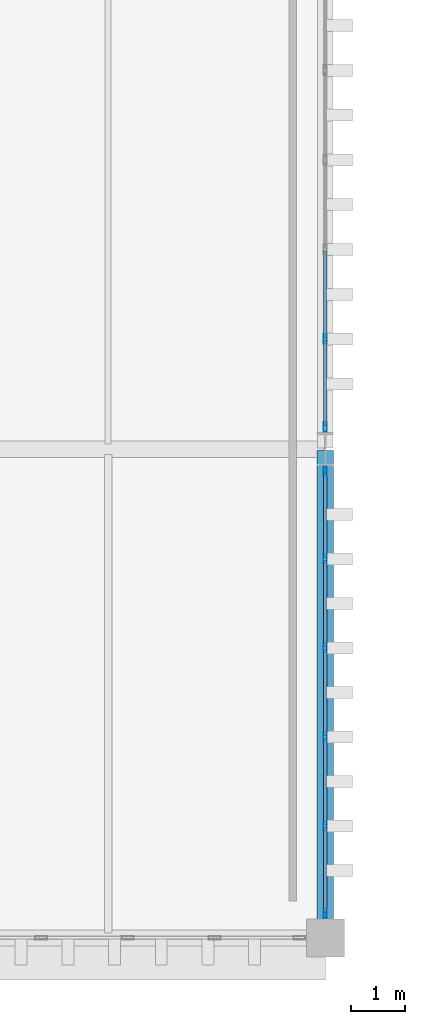
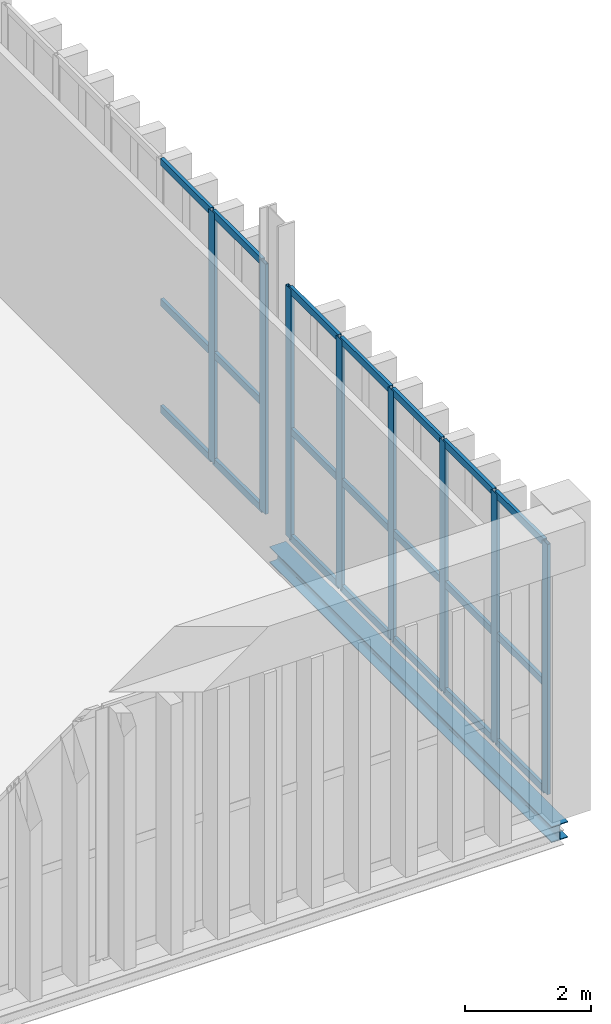
# One storey, part 129 of 237: 29 members, 1 beam, 2 elements without a shape of their own.
"""IFC4 building model written with IfcOpenShell, lengths in metres."""

from ifc_helpers import new_model, si_unit, direction, frame, origin, origin_2d, place, context, subcontext, project, spatial, hollow_rectangle, i_section, extrude, material, layer, layer_set, material_profile, profile_set, type_object, element, aggregate, save


model = new_model("IFC4")

# Units and contexts
model_context = context("Model", 3, precision=1e-05, world=origin(), true_north=direction((0.0, 1.0)))
body_context = subcontext(model_context, "Body", "Model", "MODEL_VIEW")
ifc_project = project(units=[si_unit("LENGTHUNIT", "METRE"), si_unit("AREAUNIT", "SQUARE_METRE"), si_unit("VOLUMEUNIT", "CUBIC_METRE"), si_unit("PLANEANGLEUNIT", "RADIAN"), si_unit("MASSUNIT", "GRAM", prefix="KILO")], contexts=[model_context])

# Site, building, storey
site_placement = place(None, origin())
site = spatial("IfcSite", under=ifc_project, at=site_placement, CompositionType="ELEMENT")
building_placement = place(site_placement, origin())
building = spatial("IfcBuilding", under=site, at=building_placement, Name="Barlavento Convention Centre", CompositionType="ELEMENT")
storey_placement = place(building_placement, frame((0.0, 0.0, 12.0)))
storey = spatial("IfcBuildingStorey", under=building, at=storey_placement, Name="L02", CompositionType="ELEMENT", Elevation=12.0)

# Curtain wall, members
ifc_material_1 = material(Name="Powder-coated aluminium and Low-E glass", Category="aluminium")
ifc_layer = layer(ifc_material_1, 0.195068359375)
ifc_layer_set = layer_set([ifc_layer], Name="ARC-CW-BALL-L02")
curtain_wall_type = type_object("IfcCurtainWallType", Name="ARC-CW-BALL-L02", PredefinedType="NOTDEFINED", material=ifc_layer_set)
curtain_wall_1_placement = place(storey_placement, origin())
curtain_wall_1 = element("IfcCurtainWall", 1, at=curtain_wall_1_placement, inside=storey, type_object=curtain_wall_type, Name="L02 unitised curtain wall CW07", PredefinedType="NOTDEFINED")
ifc_material_2 = material(Name="Powder-coated aluminium", Category="aluminium")
ifc_material_profile_1 = material_profile(ifc_material_2, hollow_rectangle(XDim=0.06005859375, YDim=0.179931640625, WallThickness=0.0048828125, at=origin_2d()), Name="AL-MULL 60x180x5")
ifc_profile_set_1 = profile_set([ifc_material_profile_1], Name="Powder-coated aluminium")
member_type_1 = type_object("IfcMemberType", Name="ARC-CWM-60X180", PredefinedType="MULLION", material=ifc_profile_set_1)
member_1_placement = place(storey_placement, frame((192.0, 0.449951171875, 0.0), z_axis=(0.0, 0.0, 1.0), x_axis=(-1.0, 0.0, 0.0)))
member_1 = element("IfcMember", 2, at=member_1_placement, type_object=member_type_1, Name="CW07 mullion 1", PredefinedType="MULLION", context=body_context, shape_type="SweptSolid", body=[
    extrude(hollow_rectangle(XDim=0.06005859375, YDim=0.179931640625, WallThickness=0.0048828125, at=origin_2d()), origin(), (0.0, 0.0, 1.0), 4.85009765625),
])
member_2_placement = place(storey_placement, frame((192.0, 2.06005859375, 0.0), z_axis=(0.0, 0.0, 1.0), x_axis=(-1.0, 0.0, 0.0)))
member_2 = element("IfcMember", 3, at=member_2_placement, type_object=member_type_1, Name="CW07 mullion 2", PredefinedType="MULLION", context=body_context, shape_type="SweptSolid", body=[
    extrude(hollow_rectangle(XDim=0.06005859375, YDim=0.179931640625, WallThickness=0.0048828125, at=origin_2d()), origin(), (0.0, 0.0, 1.0), 4.85009765625),
])
member_3_placement = place(storey_placement, frame((192.0, 3.699951171875, 0.0), z_axis=(0.0, 0.0, 1.0), x_axis=(-1.0, 0.0, 0.0)))
member_3 = element("IfcMember", 4, at=member_3_placement, type_object=member_type_1, Name="CW07 mullion 3", PredefinedType="MULLION", context=body_context, shape_type="SweptSolid", body=[
    extrude(hollow_rectangle(XDim=0.06005859375, YDim=0.179931640625, WallThickness=0.0048828125, at=origin_2d()), origin(), (0.0, 0.0, 1.0), 4.85009765625),
])
member_4_placement = place(storey_placement, frame((192.0, 5.340087890625, 0.0), z_axis=(0.0, 0.0, 1.0), x_axis=(-1.0, 0.0, 0.0)))
member_4 = element("IfcMember", 5, at=member_4_placement, type_object=member_type_1, Name="CW07 mullion 4", PredefinedType="MULLION", context=body_context, shape_type="SweptSolid", body=[
    extrude(hollow_rectangle(XDim=0.06005859375, YDim=0.179931640625, WallThickness=0.0048828125, at=origin_2d()), origin(), (0.0, 0.0, 1.0), 4.85009765625),
])
member_5_placement = place(storey_placement, frame((192.0, 6.97998046875, 0.0), z_axis=(0.0, 0.0, 1.0), x_axis=(-1.0, 0.0, 0.0)))
member_5 = element("IfcMember", 6, at=member_5_placement, type_object=member_type_1, Name="CW07 mullion 5", PredefinedType="MULLION", context=body_context, shape_type="SweptSolid", body=[
    extrude(hollow_rectangle(XDim=0.06005859375, YDim=0.179931640625, WallThickness=0.0048828125, at=origin_2d()), origin(), (0.0, 0.0, 1.0), 4.85009765625),
])
member_6_placement = place(storey_placement, frame((192.0, 8.590087890625, 0.0), z_axis=(0.0, 0.0, 1.0), x_axis=(-1.0, 0.0, 0.0)))
member_6 = element("IfcMember", 7, at=member_6_placement, type_object=member_type_1, Name="CW07 mullion 6", PredefinedType="MULLION", context=body_context, shape_type="SweptSolid", body=[
    extrude(hollow_rectangle(XDim=0.06005859375, YDim=0.179931640625, WallThickness=0.0048828125, at=origin_2d()), origin(), (0.0, 0.0, 1.0), 4.85009765625),
])

curtain_wall_2_placement = place(storey_placement, origin())
curtain_wall_2 = element("IfcCurtainWall", 8, at=curtain_wall_2_placement, inside=storey, type_object=curtain_wall_type, Name="L02 unitised curtain wall CW07", PredefinedType="NOTDEFINED")
member_7_placement = place(storey_placement, frame((192.0, 9.409912109375, 0.0), z_axis=(0.0, 0.0, 1.0), x_axis=(-1.0, 0.0, 0.0)))
member_7 = element("IfcMember", 9, at=member_7_placement, type_object=member_type_1, Name="CW07 mullion 1", PredefinedType="MULLION", context=body_context, shape_type="SweptSolid", body=[
    extrude(hollow_rectangle(XDim=0.06005859375, YDim=0.179931640625, WallThickness=0.0048828125, at=origin_2d()), origin(), (0.0, 0.0, 1.0), 4.85009765625),
])
member_8_placement = place(storey_placement, frame((192.0, 11.030029296875, 0.0), z_axis=(0.0, 0.0, 1.0), x_axis=(-1.0, 0.0, 0.0)))
member_8 = element("IfcMember", 10, at=member_8_placement, type_object=member_type_1, Name="CW07 mullion 2", PredefinedType="MULLION", context=body_context, shape_type="SweptSolid", body=[
    extrude(hollow_rectangle(XDim=0.06005859375, YDim=0.179931640625, WallThickness=0.0048828125, at=origin_2d()), origin(), (0.0, 0.0, 1.0), 4.85009765625),
])

# Member
ifc_material_profile_2 = material_profile(ifc_material_2, hollow_rectangle(XDim=0.06005859375, YDim=0.139892578125, WallThickness=0.00390625, at=origin_2d()), Name="AL-TRAN 60x140x4")
ifc_profile_set_2 = profile_set([ifc_material_profile_2], Name="Powder-coated aluminium")
member_type_2 = type_object("IfcMemberType", Name="ARC-CWT-60X140", PredefinedType="USERDEFINED", material=ifc_profile_set_2)
member_9_placement = place(storey_placement, frame((192.0, 0.47998046875, 0.030029296875), z_axis=(0.0, 1.0, 0.0), x_axis=(-1.0, 0.0, 0.0)))
member_9 = element("IfcMember", 11, at=member_9_placement, type_object=member_type_2, Name="CW07 transom 1.1", ObjectType="TRANSOM", PredefinedType="USERDEFINED", context=body_context, shape_type="SweptSolid", body=[
    extrude(hollow_rectangle(XDim=0.06005859375, YDim=0.139892578125, WallThickness=0.00390625, at=origin_2d()), origin(), (0.0, 0.0, 1.0), 1.550048828125),
])

member_10_placement = place(storey_placement, frame((192.0, 0.47998046875, 2.10009765625), z_axis=(0.0, 1.0, 0.0), x_axis=(-1.0, 0.0, 0.0)))
member_10 = element("IfcMember", 12, at=member_10_placement, type_object=member_type_2, Name="CW07 transom 1.2", ObjectType="TRANSOM", PredefinedType="USERDEFINED", context=body_context, shape_type="SweptSolid", body=[
    extrude(hollow_rectangle(XDim=0.06005859375, YDim=0.139892578125, WallThickness=0.00390625, at=origin_2d()), origin(), (0.0, 0.0, 1.0), 1.550048828125),
])

member_11_placement = place(storey_placement, frame((192.0, 0.47998046875, 4.820068359375), z_axis=(0.0, 1.0, 0.0), x_axis=(-1.0, 0.0, 0.0)))
member_11 = element("IfcMember", 13, at=member_11_placement, type_object=member_type_2, Name="CW07 transom 1.3", ObjectType="TRANSOM", PredefinedType="USERDEFINED", context=body_context, shape_type="SweptSolid", body=[
    extrude(hollow_rectangle(XDim=0.06005859375, YDim=0.139892578125, WallThickness=0.00390625, at=origin_2d()), origin(), (0.0, 0.0, 1.0), 1.550048828125),
])

member_12_placement = place(storey_placement, frame((192.0, 2.090087890625, 0.030029296875), z_axis=(0.0, 1.0, 0.0), x_axis=(-1.0, 0.0, 0.0)))
member_12 = element("IfcMember", 14, at=member_12_placement, type_object=member_type_2, Name="CW07 transom 2.1", ObjectType="TRANSOM", PredefinedType="USERDEFINED", context=body_context, shape_type="SweptSolid", body=[
    extrude(hollow_rectangle(XDim=0.06005859375, YDim=0.139892578125, WallThickness=0.00390625, at=origin_2d()), origin(), (0.0, 0.0, 1.0), 1.579833984375),
])

member_13_placement = place(storey_placement, frame((192.0, 2.090087890625, 2.10009765625), z_axis=(0.0, 1.0, 0.0), x_axis=(-1.0, 0.0, 0.0)))
member_13 = element("IfcMember", 15, at=member_13_placement, type_object=member_type_2, Name="CW07 transom 2.2", ObjectType="TRANSOM", PredefinedType="USERDEFINED", context=body_context, shape_type="SweptSolid", body=[
    extrude(hollow_rectangle(XDim=0.06005859375, YDim=0.139892578125, WallThickness=0.00390625, at=origin_2d()), origin(), (0.0, 0.0, 1.0), 1.579833984375),
])

member_14_placement = place(storey_placement, frame((192.0, 2.090087890625, 4.820068359375), z_axis=(0.0, 1.0, 0.0), x_axis=(-1.0, 0.0, 0.0)))
member_14 = element("IfcMember", 16, at=member_14_placement, type_object=member_type_2, Name="CW07 transom 2.3", ObjectType="TRANSOM", PredefinedType="USERDEFINED", context=body_context, shape_type="SweptSolid", body=[
    extrude(hollow_rectangle(XDim=0.06005859375, YDim=0.139892578125, WallThickness=0.00390625, at=origin_2d()), origin(), (0.0, 0.0, 1.0), 1.579833984375),
])

member_15_placement = place(storey_placement, frame((192.0, 3.72998046875, 0.030029296875), z_axis=(0.0, 1.0, 0.0), x_axis=(-1.0, 0.0, 0.0)))
member_15 = element("IfcMember", 17, at=member_15_placement, type_object=member_type_2, Name="CW07 transom 3.1", ObjectType="TRANSOM", PredefinedType="USERDEFINED", context=body_context, shape_type="SweptSolid", body=[
    extrude(hollow_rectangle(XDim=0.06005859375, YDim=0.139892578125, WallThickness=0.00390625, at=origin_2d()), origin(), (0.0, 0.0, 1.0), 1.580078125),
])

member_16_placement = place(storey_placement, frame((192.0, 3.72998046875, 2.10009765625), z_axis=(0.0, 1.0, 0.0), x_axis=(-1.0, 0.0, 0.0)))
member_16 = element("IfcMember", 18, at=member_16_placement, type_object=member_type_2, Name="CW07 transom 3.2", ObjectType="TRANSOM", PredefinedType="USERDEFINED", context=body_context, shape_type="SweptSolid", body=[
    extrude(hollow_rectangle(XDim=0.06005859375, YDim=0.139892578125, WallThickness=0.00390625, at=origin_2d()), origin(), (0.0, 0.0, 1.0), 1.580078125),
])

member_17_placement = place(storey_placement, frame((192.0, 3.72998046875, 4.820068359375), z_axis=(0.0, 1.0, 0.0), x_axis=(-1.0, 0.0, 0.0)))
member_17 = element("IfcMember", 19, at=member_17_placement, type_object=member_type_2, Name="CW07 transom 3.3", ObjectType="TRANSOM", PredefinedType="USERDEFINED", context=body_context, shape_type="SweptSolid", body=[
    extrude(hollow_rectangle(XDim=0.06005859375, YDim=0.139892578125, WallThickness=0.00390625, at=origin_2d()), origin(), (0.0, 0.0, 1.0), 1.580078125),
])

member_18_placement = place(storey_placement, frame((192.0, 5.3701171875, 0.030029296875), z_axis=(0.0, 1.0, 0.0), x_axis=(-1.0, 0.0, 0.0)))
member_18 = element("IfcMember", 20, at=member_18_placement, type_object=member_type_2, Name="CW07 transom 4.1", ObjectType="TRANSOM", PredefinedType="USERDEFINED", context=body_context, shape_type="SweptSolid", body=[
    extrude(hollow_rectangle(XDim=0.06005859375, YDim=0.139892578125, WallThickness=0.00390625, at=origin_2d()), origin(), (0.0, 0.0, 1.0), 1.579833984375),
])

member_19_placement = place(storey_placement, frame((192.0, 5.3701171875, 2.10009765625), z_axis=(0.0, 1.0, 0.0), x_axis=(-1.0, 0.0, 0.0)))
member_19 = element("IfcMember", 21, at=member_19_placement, type_object=member_type_2, Name="CW07 transom 4.2", ObjectType="TRANSOM", PredefinedType="USERDEFINED", context=body_context, shape_type="SweptSolid", body=[
    extrude(hollow_rectangle(XDim=0.06005859375, YDim=0.139892578125, WallThickness=0.00390625, at=origin_2d()), origin(), (0.0, 0.0, 1.0), 1.579833984375),
])

member_20_placement = place(storey_placement, frame((192.0, 5.3701171875, 4.820068359375), z_axis=(0.0, 1.0, 0.0), x_axis=(-1.0, 0.0, 0.0)))
member_20 = element("IfcMember", 22, at=member_20_placement, type_object=member_type_2, Name="CW07 transom 4.3", ObjectType="TRANSOM", PredefinedType="USERDEFINED", context=body_context, shape_type="SweptSolid", body=[
    extrude(hollow_rectangle(XDim=0.06005859375, YDim=0.139892578125, WallThickness=0.00390625, at=origin_2d()), origin(), (0.0, 0.0, 1.0), 1.579833984375),
])

member_21_placement = place(storey_placement, frame((192.0, 7.010009765625, 0.030029296875), z_axis=(0.0, 1.0, 0.0), x_axis=(-1.0, 0.0, 0.0)))
member_21 = element("IfcMember", 23, at=member_21_placement, type_object=member_type_2, Name="CW07 transom 5.1", ObjectType="TRANSOM", PredefinedType="USERDEFINED", context=body_context, shape_type="SweptSolid", body=[
    extrude(hollow_rectangle(XDim=0.06005859375, YDim=0.139892578125, WallThickness=0.00390625, at=origin_2d()), origin(), (0.0, 0.0, 1.0), 1.550048828125),
])

member_22_placement = place(storey_placement, frame((192.0, 7.010009765625, 2.10009765625), z_axis=(0.0, 1.0, 0.0), x_axis=(-1.0, 0.0, 0.0)))
member_22 = element("IfcMember", 24, at=member_22_placement, type_object=member_type_2, Name="CW07 transom 5.2", ObjectType="TRANSOM", PredefinedType="USERDEFINED", context=body_context, shape_type="SweptSolid", body=[
    extrude(hollow_rectangle(XDim=0.06005859375, YDim=0.139892578125, WallThickness=0.00390625, at=origin_2d()), origin(), (0.0, 0.0, 1.0), 1.550048828125),
])

member_23_placement = place(storey_placement, frame((192.0, 7.010009765625, 4.820068359375), z_axis=(0.0, 1.0, 0.0), x_axis=(-1.0, 0.0, 0.0)))
member_23 = element("IfcMember", 25, at=member_23_placement, type_object=member_type_2, Name="CW07 transom 5.3", ObjectType="TRANSOM", PredefinedType="USERDEFINED", context=body_context, shape_type="SweptSolid", body=[
    extrude(hollow_rectangle(XDim=0.06005859375, YDim=0.139892578125, WallThickness=0.00390625, at=origin_2d()), origin(), (0.0, 0.0, 1.0), 1.550048828125),
])

aggregate(curtain_wall_1, [member_1, member_2, member_3, member_4, member_5, member_6, member_9, member_10, member_11, member_12, member_13, member_14, member_15, member_16, member_17, member_18, member_19, member_20, member_21, member_22, member_23])

member_24_placement = place(storey_placement, frame((192.0, 9.43994140625, 0.030029296875), z_axis=(0.0, 1.0, 0.0), x_axis=(-1.0, 0.0, 0.0)))
member_24 = element("IfcMember", 26, at=member_24_placement, type_object=member_type_2, Name="CW07 transom 1.1", ObjectType="TRANSOM", PredefinedType="USERDEFINED", context=body_context, shape_type="SweptSolid", body=[
    extrude(hollow_rectangle(XDim=0.06005859375, YDim=0.139892578125, WallThickness=0.00390625, at=origin_2d()), origin(), (0.0, 0.0, 1.0), 1.56005859375),
])

member_25_placement = place(storey_placement, frame((192.0, 9.43994140625, 2.10009765625), z_axis=(0.0, 1.0, 0.0), x_axis=(-1.0, 0.0, 0.0)))
member_25 = element("IfcMember", 27, at=member_25_placement, type_object=member_type_2, Name="CW07 transom 1.2", ObjectType="TRANSOM", PredefinedType="USERDEFINED", context=body_context, shape_type="SweptSolid", body=[
    extrude(hollow_rectangle(XDim=0.06005859375, YDim=0.139892578125, WallThickness=0.00390625, at=origin_2d()), origin(), (0.0, 0.0, 1.0), 1.56005859375),
])

member_26_placement = place(storey_placement, frame((192.0, 9.43994140625, 4.820068359375), z_axis=(0.0, 1.0, 0.0), x_axis=(-1.0, 0.0, 0.0)))
member_26 = element("IfcMember", 28, at=member_26_placement, type_object=member_type_2, Name="CW07 transom 1.3", ObjectType="TRANSOM", PredefinedType="USERDEFINED", context=body_context, shape_type="SweptSolid", body=[
    extrude(hollow_rectangle(XDim=0.06005859375, YDim=0.139892578125, WallThickness=0.00390625, at=origin_2d()), origin(), (0.0, 0.0, 1.0), 1.56005859375),
])

member_27_placement = place(storey_placement, frame((192.0, 11.06005859375, 0.030029296875), z_axis=(0.0, 1.0, 0.0), x_axis=(-1.0, 0.0, 0.0)))
member_27 = element("IfcMember", 29, at=member_27_placement, type_object=member_type_2, Name="CW07 transom 2.1", ObjectType="TRANSOM", PredefinedType="USERDEFINED", context=body_context, shape_type="SweptSolid", body=[
    extrude(hollow_rectangle(XDim=0.06005859375, YDim=0.139892578125, WallThickness=0.00390625, at=origin_2d()), origin(), (0.0, 0.0, 1.0), 1.58984375),
])

member_28_placement = place(storey_placement, frame((192.0, 11.06005859375, 2.10009765625), z_axis=(0.0, 1.0, 0.0), x_axis=(-1.0, 0.0, 0.0)))
member_28 = element("IfcMember", 30, at=member_28_placement, type_object=member_type_2, Name="CW07 transom 2.2", ObjectType="TRANSOM", PredefinedType="USERDEFINED", context=body_context, shape_type="SweptSolid", body=[
    extrude(hollow_rectangle(XDim=0.06005859375, YDim=0.139892578125, WallThickness=0.00390625, at=origin_2d()), origin(), (0.0, 0.0, 1.0), 1.58984375),
])

member_29_placement = place(storey_placement, frame((192.0, 11.06005859375, 4.820068359375), z_axis=(0.0, 1.0, 0.0), x_axis=(-1.0, 0.0, 0.0)))
member_29 = element("IfcMember", 31, at=member_29_placement, type_object=member_type_2, Name="CW07 transom 2.3", ObjectType="TRANSOM", PredefinedType="USERDEFINED", context=body_context, shape_type="SweptSolid", body=[
    extrude(hollow_rectangle(XDim=0.06005859375, YDim=0.139892578125, WallThickness=0.00390625, at=origin_2d()), origin(), (0.0, 0.0, 1.0), 1.58984375),
])

aggregate(curtain_wall_2, [member_7, member_8, member_24, member_25, member_26, member_27, member_28, member_29])

# Beam
ifc_material_3 = material(Name="Steel S355", Category="steel")
ifc_material_profile_3 = material_profile(ifc_material_3, i_section(OverallWidth=0.300048828125, OverallDepth=0.31005859375, WebThickness=0.009033203125, FlangeThickness=0.015380859375, FilletRadius=0.027099609375, at=origin_2d()), Name="HEA 320")
ifc_profile_set_3 = profile_set([ifc_material_profile_3], Name="Steel S355")
beam_type = type_object("IfcBeamType", Name="STR-BM-SPN-HEA320", PredefinedType="SPANDREL", material=ifc_profile_set_3)
beam_placement = place(storey_placement, frame((192.0, 0.02001953125, -0.52490234375), z_axis=(0.0, 1.0, 0.0), x_axis=(-1.0, 0.0, 0.0)))
element("IfcBeam", 32, at=beam_placement, inside=storey, type_object=beam_type, Name="L02 grid girder SP01", PredefinedType="SPANDREL", context=body_context, shape_type="SweptSolid", body=[
    extrude(i_section(OverallWidth=0.300048828125, OverallDepth=0.31005859375, WebThickness=0.009033203125, FlangeThickness=0.015380859375, FilletRadius=0.027099609375, at=origin_2d()), origin(), (0.0, 0.0, 1.0), 8.9599609375),
])

save(model, "model.ifc")
